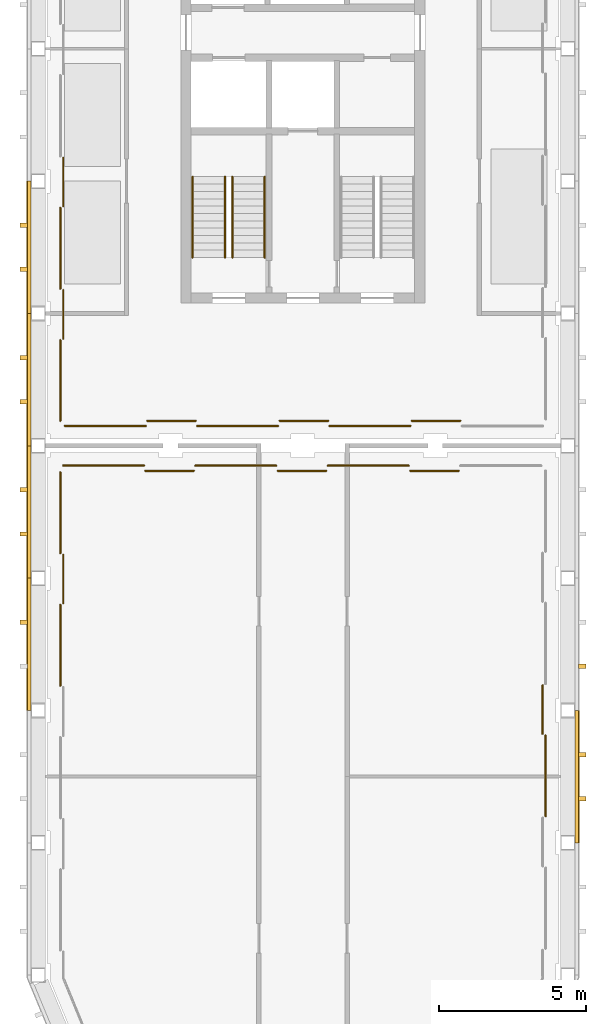
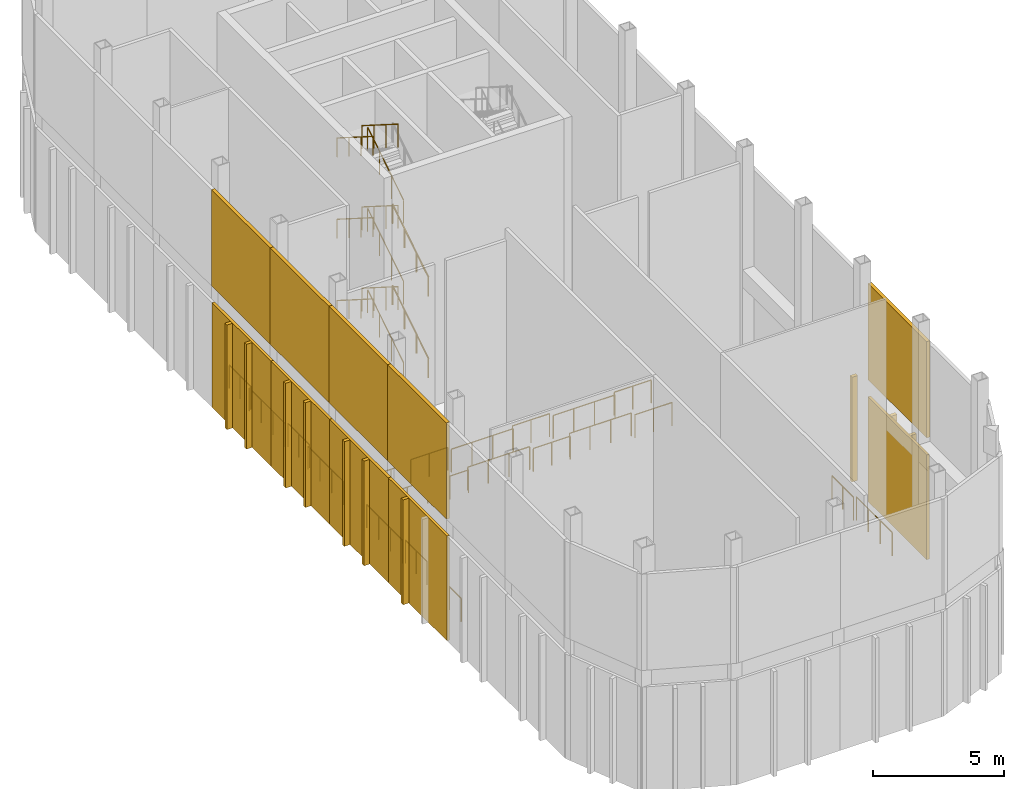
# One storey, part 5 of 8: 32 railings, 20 shading devices.
"""IFC4 building model written with IfcOpenShell, lengths in metres."""

from ifc_helpers import new_model, si_unit, direction, frame, origin, origin_2d, place, context, subcontext, project, spatial, rectangle, circle, extrude, material, type_object, element, save


model = new_model("IFC4")

# Units and contexts
model_context = context("Model", 3, precision=1e-05, world=origin(), true_north=direction((0.0, 1.0)))
body_context = subcontext(model_context, "Body", "Model", "MODEL_VIEW")
ifc_project = project(units=[si_unit("LENGTHUNIT", "METRE"), si_unit("AREAUNIT", "SQUARE_METRE"), si_unit("VOLUMEUNIT", "CUBIC_METRE"), si_unit("PLANEANGLEUNIT", "RADIAN"), si_unit("MASSUNIT", "GRAM", prefix="KILO")], contexts=[model_context])

# Site, building, storey
site_placement = place(None, origin())
site = spatial("IfcSite", under=ifc_project, at=site_placement, CompositionType="ELEMENT")
building_placement = place(site_placement, origin())
building = spatial("IfcBuilding", under=site, at=building_placement, Name="Girih Gate Residences", CompositionType="ELEMENT")
storey_placement = place(building_placement, frame((0.0, 0.0, 235.695068359375)))
storey = spatial("IfcBuildingStorey", under=building, at=storey_placement, Name="L66", CompositionType="ELEMENT", Elevation=235.695068359375)

# Railings
ifc_material_1 = material(Name="Stainless steel railing", Category="steel")
railing_type_1 = type_object("IfcRailingType", Name="Crown deck guard 1100", PredefinedType="GUARDRAIL", material=ifc_material_1)
railing_1_placement = place(storey_placement, frame((0.85009765625, 21.824951171875, 0.0)))
element("IfcRailing", 1, at=railing_1_placement, inside=storey, type_object=railing_type_1, Name="Crown deck guard L66 1.1.1", PredefinedType="GUARDRAIL", context=body_context, shape_type="SweptSolid", body=[
    extrude(circle(Radius=0.02490234375, at=origin_2d()), frame((0.0, 0.0, 1.0751953125), z_axis=(1.0, 0.0, 0.0), x_axis=(0.0, 1.0, 0.0)), (0.0, 0.0, 1.0), 2.739990234375),
    extrude(circle(Radius=0.02490234375, at=origin_2d()), origin(), (0.0, 0.0, 1.0), 1.050048828125),
    extrude(circle(Radius=0.02490234375, at=origin_2d()), frame((0.913330078125, 0.0, 0.0)), (0.0, 0.0, 1.0), 1.050048828125),
    extrude(circle(Radius=0.02490234375, at=origin_2d()), frame((1.82666015625, 0.0, 0.0)), (0.0, 0.0, 1.0), 1.050048828125),
    extrude(circle(Radius=0.02490234375, at=origin_2d()), frame((2.739990234375, 0.0, 0.0)), (0.0, 0.0, 1.0), 1.050048828125),
])
railing_2_placement = place(storey_placement, frame((3.64990234375, 21.64990234375, 0.0)))
element("IfcRailing", 2, at=railing_2_placement, inside=storey, type_object=railing_type_1, Name="Crown deck guard L66 1.1.2", PredefinedType="GUARDRAIL", context=body_context, shape_type="SweptSolid", body=[
    extrude(circle(Radius=0.02490234375, at=origin_2d()), frame((0.0, 0.0, 1.0751953125), z_axis=(1.0, 0.0, 0.0), x_axis=(0.0, 1.0, 0.0)), (0.0, 0.0, 1.0), 1.64013671875),
    extrude(circle(Radius=0.02490234375, at=origin_2d()), origin(), (0.0, 0.0, 1.0), 1.050048828125),
    extrude(circle(Radius=0.02490234375, at=origin_2d()), frame((0.820068359375, 0.0, 0.0)), (0.0, 0.0, 1.0), 1.050048828125),
    extrude(circle(Radius=0.02490234375, at=origin_2d()), frame((1.64013671875, 0.0, 0.0)), (0.0, 0.0, 1.0), 1.050048828125),
])
railing_3_placement = place(storey_placement, frame((5.35009765625, 21.824951171875, 0.0)))
element("IfcRailing", 3, at=railing_3_placement, inside=storey, type_object=railing_type_1, Name="Crown deck guard L66 1.1.3", PredefinedType="GUARDRAIL", context=body_context, shape_type="SweptSolid", body=[
    extrude(circle(Radius=0.02490234375, at=origin_2d()), frame((0.0, 0.0, 1.0751953125), z_axis=(1.0, 0.0, 0.0), x_axis=(0.0, 1.0, 0.0)), (0.0, 0.0, 1.0), 2.739990234375),
    extrude(circle(Radius=0.02490234375, at=origin_2d()), origin(), (0.0, 0.0, 1.0), 1.050048828125),
    extrude(circle(Radius=0.02490234375, at=origin_2d()), frame((0.913330078125, 0.0, 0.0)), (0.0, 0.0, 1.0), 1.050048828125),
    extrude(circle(Radius=0.02490234375, at=origin_2d()), frame((1.82666015625, 0.0, 0.0)), (0.0, 0.0, 1.0), 1.050048828125),
    extrude(circle(Radius=0.02490234375, at=origin_2d()), frame((2.739990234375, 0.0, 0.0)), (0.0, 0.0, 1.0), 1.050048828125),
])
railing_4_placement = place(storey_placement, frame((8.14990234375, 21.64990234375, 0.0)))
element("IfcRailing", 4, at=railing_4_placement, inside=storey, type_object=railing_type_1, Name="Crown deck guard L66 1.1.4", PredefinedType="GUARDRAIL", context=body_context, shape_type="SweptSolid", body=[
    extrude(circle(Radius=0.02490234375, at=origin_2d()), frame((0.0, 0.0, 1.0751953125), z_axis=(1.0, 0.0, 0.0), x_axis=(0.0, 1.0, 0.0)), (0.0, 0.0, 1.0), 1.64013671875),
    extrude(circle(Radius=0.02490234375, at=origin_2d()), origin(), (0.0, 0.0, 1.0), 1.050048828125),
    extrude(circle(Radius=0.02490234375, at=origin_2d()), frame((0.820068359375, 0.0, 0.0)), (0.0, 0.0, 1.0), 1.050048828125),
    extrude(circle(Radius=0.02490234375, at=origin_2d()), frame((1.64013671875, 0.0, 0.0)), (0.0, 0.0, 1.0), 1.050048828125),
])
railing_5_placement = place(storey_placement, frame((9.85009765625, 21.824951171875, 0.0)))
element("IfcRailing", 5, at=railing_5_placement, inside=storey, type_object=railing_type_1, Name="Crown deck guard L66 1.1.5", PredefinedType="GUARDRAIL", context=body_context, shape_type="SweptSolid", body=[
    extrude(circle(Radius=0.02490234375, at=origin_2d()), frame((0.0, 0.0, 1.0751953125), z_axis=(1.0, 0.0, 0.0), x_axis=(0.0, 1.0, 0.0)), (0.0, 0.0, 1.0), 2.739990234375),
    extrude(circle(Radius=0.02490234375, at=origin_2d()), origin(), (0.0, 0.0, 1.0), 1.050048828125),
    extrude(circle(Radius=0.02490234375, at=origin_2d()), frame((0.913330078125, 0.0, 0.0)), (0.0, 0.0, 1.0), 1.050048828125),
    extrude(circle(Radius=0.02490234375, at=origin_2d()), frame((1.82666015625, 0.0, 0.0)), (0.0, 0.0, 1.0), 1.050048828125),
    extrude(circle(Radius=0.02490234375, at=origin_2d()), frame((2.739990234375, 0.0, 0.0)), (0.0, 0.0, 1.0), 1.050048828125),
])
railing_6_placement = place(storey_placement, frame((12.64990234375, 21.64990234375, 0.0)))
element("IfcRailing", 6, at=railing_6_placement, inside=storey, type_object=railing_type_1, Name="Crown deck guard L66 1.1.6", PredefinedType="GUARDRAIL", context=body_context, shape_type="SweptSolid", body=[
    extrude(circle(Radius=0.02490234375, at=origin_2d()), frame((0.0, 0.0, 1.0751953125), z_axis=(1.0, 0.0, 0.0), x_axis=(0.0, 1.0, 0.0)), (0.0, 0.0, 1.0), 1.64013671875),
    extrude(circle(Radius=0.02490234375, at=origin_2d()), origin(), (0.0, 0.0, 1.0), 1.050048828125),
    extrude(circle(Radius=0.02490234375, at=origin_2d()), frame((0.820068359375, 0.0, 0.0)), (0.0, 0.0, 1.0), 1.050048828125),
    extrude(circle(Radius=0.02490234375, at=origin_2d()), frame((1.64013671875, 0.0, 0.0)), (0.0, 0.0, 1.0), 1.050048828125),
])
railing_7_placement = place(storey_placement, frame((17.14990234375, 14.35009765625, 0.0)))
element("IfcRailing", 7, at=railing_7_placement, inside=storey, type_object=railing_type_1, Name="Crown deck guard L66 1.1.11", PredefinedType="GUARDRAIL", context=body_context, shape_type="SweptSolid", body=[
    extrude(circle(Radius=0.02490234375, at=origin_2d()), frame((0.0, 0.0, 1.0751953125), z_axis=(0.0, -1.0, 0.0), x_axis=(1.0, 0.0, 0.0)), (0.0, 0.0, 1.0), 1.64013671875),
    extrude(circle(Radius=0.02490234375, at=origin_2d()), origin(), (0.0, 0.0, 1.0), 1.050048828125),
    extrude(circle(Radius=0.02490234375, at=origin_2d()), frame((0.0, -0.820068359375, 0.0)), (0.0, 0.0, 1.0), 1.050048828125),
    extrude(circle(Radius=0.02490234375, at=origin_2d()), frame((0.0, -1.64013671875, 0.0)), (0.0, 0.0, 1.0), 1.050048828125),
])
railing_8_placement = place(storey_placement, frame((17.25, 12.64990234375, 0.0)))
element("IfcRailing", 8, at=railing_8_placement, inside=storey, type_object=railing_type_1, Name="Crown deck guard L66 1.1.12", PredefinedType="GUARDRAIL", context=body_context, shape_type="SweptSolid", body=[
    extrude(circle(Radius=0.02490234375, at=origin_2d()), frame((0.0, 0.0, 1.0751953125), z_axis=(0.0, -1.0, 0.0), x_axis=(1.0, 0.0, 0.0)), (0.0, 0.0, 1.0), 2.739990234375),
    extrude(circle(Radius=0.02490234375, at=origin_2d()), origin(), (0.0, 0.0, 1.0), 1.050048828125),
    extrude(circle(Radius=0.02490234375, at=origin_2d()), frame((0.0, -0.913330078125, 0.0)), (0.0, 0.0, 1.0), 1.050048828125),
    extrude(circle(Radius=0.02490234375, at=origin_2d()), frame((0.0, -1.82666015625, 0.0)), (0.0, 0.0, 1.0), 1.050048828125),
    extrude(circle(Radius=0.02490234375, at=origin_2d()), frame((0.0, -2.739990234375, 0.0)), (0.0, 0.0, 1.0), 1.050048828125),
])
railing_9_placement = place(storey_placement, frame((0.75, 14.35009765625, 0.0)))
element("IfcRailing", 9, at=railing_9_placement, inside=storey, type_object=railing_type_1, Name="Crown deck guard L66 1.1.32", PredefinedType="GUARDRAIL", context=body_context, shape_type="SweptSolid", body=[
    extrude(circle(Radius=0.02490234375, at=origin_2d()), frame((0.0, 0.0, 1.0751953125), z_axis=(0.0, 1.0, 0.0), x_axis=(-1.0, 0.0, 0.0)), (0.0, 0.0, 1.0), 2.739990234375),
    extrude(circle(Radius=0.02490234375, at=origin_2d()), origin(), (0.0, 0.0, 1.0), 1.050048828125),
    extrude(circle(Radius=0.02490234375, at=origin_2d()), frame((0.0, 0.913330078125, 0.0)), (0.0, 0.0, 1.0), 1.050048828125),
    extrude(circle(Radius=0.02490234375, at=origin_2d()), frame((0.0, 1.82666015625, 0.0)), (0.0, 0.0, 1.0), 1.050048828125),
    extrude(circle(Radius=0.02490234375, at=origin_2d()), frame((0.0, 2.739990234375, 0.0)), (0.0, 0.0, 1.0), 1.050048828125),
])
railing_10_placement = place(storey_placement, frame((0.85009765625, 17.14990234375, 0.0)))
element("IfcRailing", 10, at=railing_10_placement, inside=storey, type_object=railing_type_1, Name="Crown deck guard L66 1.1.33", PredefinedType="GUARDRAIL", context=body_context, shape_type="SweptSolid", body=[
    extrude(circle(Radius=0.02490234375, at=origin_2d()), frame((0.0, 0.0, 1.0751953125), z_axis=(0.0, 1.0, 0.0), x_axis=(-1.0, 0.0, 0.0)), (0.0, 0.0, 1.0), 1.64013671875),
    extrude(circle(Radius=0.02490234375, at=origin_2d()), origin(), (0.0, 0.0, 1.0), 1.050048828125),
    extrude(circle(Radius=0.02490234375, at=origin_2d()), frame((0.0, 0.820068359375, 0.0)), (0.0, 0.0, 1.0), 1.050048828125),
    extrude(circle(Radius=0.02490234375, at=origin_2d()), frame((0.0, 1.64013671875, 0.0)), (0.0, 0.0, 1.0), 1.050048828125),
])
for number, where, name in (
    (11, (0.75, 18.85009765625, 0.0), "Crown deck guard L66 1.1.34"),
    (12, (0.75, 23.35009765625, 0.0), "Crown deck guard L66 2.1.1"),
):
    element("IfcRailing", number, at=place(storey_placement, frame(where)), inside=storey, type_object=railing_type_1, Name=name, PredefinedType="GUARDRAIL", context=body_context, shape_type="SweptSolid", body=[
        extrude(circle(Radius=0.02490234375, at=origin_2d()), frame((0.0, 0.0, 1.0751953125), z_axis=(0.0, 1.0, 0.0), x_axis=(-1.0, 0.0, 0.0)), (0.0, 0.0, 1.0), 2.739990234375),
        extrude(circle(Radius=0.02490234375, at=origin_2d()), origin(), (0.0, 0.0, 1.0), 1.050048828125),
        extrude(circle(Radius=0.02490234375, at=origin_2d()), frame((0.0, 0.913330078125, 0.0)), (0.0, 0.0, 1.0), 1.050048828125),
        extrude(circle(Radius=0.02490234375, at=origin_2d()), frame((0.0, 1.82666015625, 0.0)), (0.0, 0.0, 1.0), 1.050048828125),
        extrude(circle(Radius=0.02490234375, at=origin_2d()), frame((0.0, 2.739990234375, 0.0)), (0.0, 0.0, 1.0), 1.050048828125),
    ])
railing_11_placement = place(storey_placement, frame((0.85009765625, 26.14990234375, 0.0)))
element("IfcRailing", 13, at=railing_11_placement, inside=storey, type_object=railing_type_1, Name="Crown deck guard L66 2.1.2", PredefinedType="GUARDRAIL", context=body_context, shape_type="SweptSolid", body=[
    extrude(circle(Radius=0.02490234375, at=origin_2d()), frame((0.0, 0.0, 1.0751953125), z_axis=(0.0, 1.0, 0.0), x_axis=(-1.0, 0.0, 0.0)), (0.0, 0.0, 1.0), 1.64013671875),
    extrude(circle(Radius=0.02490234375, at=origin_2d()), origin(), (0.0, 0.0, 1.0), 1.050048828125),
    extrude(circle(Radius=0.02490234375, at=origin_2d()), frame((0.0, 0.820068359375, 0.0)), (0.0, 0.0, 1.0), 1.050048828125),
    extrude(circle(Radius=0.02490234375, at=origin_2d()), frame((0.0, 1.64013671875, 0.0)), (0.0, 0.0, 1.0), 1.050048828125),
])
railing_12_placement = place(storey_placement, frame((0.75, 27.85009765625, 0.0)))
element("IfcRailing", 14, at=railing_12_placement, inside=storey, type_object=railing_type_1, Name="Crown deck guard L66 2.1.3", PredefinedType="GUARDRAIL", context=body_context, shape_type="SweptSolid", body=[
    extrude(circle(Radius=0.02490234375, at=origin_2d()), frame((0.0, 0.0, 1.0751953125), z_axis=(0.0, 1.0, 0.0), x_axis=(-1.0, 0.0, 0.0)), (0.0, 0.0, 1.0), 2.739990234375),
    extrude(circle(Radius=0.02490234375, at=origin_2d()), origin(), (0.0, 0.0, 1.0), 1.050048828125),
    extrude(circle(Radius=0.02490234375, at=origin_2d()), frame((0.0, 0.913330078125, 0.0)), (0.0, 0.0, 1.0), 1.050048828125),
    extrude(circle(Radius=0.02490234375, at=origin_2d()), frame((0.0, 1.82666015625, 0.0)), (0.0, 0.0, 1.0), 1.050048828125),
    extrude(circle(Radius=0.02490234375, at=origin_2d()), frame((0.0, 2.739990234375, 0.0)), (0.0, 0.0, 1.0), 1.050048828125),
])
railing_13_placement = place(storey_placement, frame((0.85009765625, 30.64990234375, 0.0)))
element("IfcRailing", 15, at=railing_13_placement, inside=storey, type_object=railing_type_1, Name="Crown deck guard L66 2.1.4", PredefinedType="GUARDRAIL", context=body_context, shape_type="SweptSolid", body=[
    extrude(circle(Radius=0.02490234375, at=origin_2d()), frame((0.0, 0.0, 1.0751953125), z_axis=(0.0, 1.0, 0.0), x_axis=(-1.0, 0.0, 0.0)), (0.0, 0.0, 1.0), 1.64013671875),
    extrude(circle(Radius=0.02490234375, at=origin_2d()), origin(), (0.0, 0.0, 1.0), 1.050048828125),
    extrude(circle(Radius=0.02490234375, at=origin_2d()), frame((0.0, 0.820068359375, 0.0)), (0.0, 0.0, 1.0), 1.050048828125),
    extrude(circle(Radius=0.02490234375, at=origin_2d()), frame((0.0, 1.64013671875, 0.0)), (0.0, 0.0, 1.0), 1.050048828125),
])
railing_14_placement = place(storey_placement, frame((14.35009765625, 23.35009765625, 0.0)))
element("IfcRailing", 16, at=railing_14_placement, inside=storey, type_object=railing_type_1, Name="Crown deck guard L66 2.1.33", PredefinedType="GUARDRAIL", context=body_context, shape_type="SweptSolid", body=[
    extrude(circle(Radius=0.02490234375, at=origin_2d()), frame((0.0, 0.0, 1.0751953125), z_axis=(-1.0, 0.0, 0.0), x_axis=(0.0, -1.0, 0.0)), (0.0, 0.0, 1.0), 1.64013671875),
    extrude(circle(Radius=0.02490234375, at=origin_2d()), origin(), (0.0, 0.0, 1.0), 1.050048828125),
    extrude(circle(Radius=0.02490234375, at=origin_2d()), frame((-0.820068359375, 0.0, 0.0)), (0.0, 0.0, 1.0), 1.050048828125),
    extrude(circle(Radius=0.02490234375, at=origin_2d()), frame((-1.64013671875, 0.0, 0.0)), (0.0, 0.0, 1.0), 1.050048828125),
])
railing_15_placement = place(storey_placement, frame((12.64990234375, 23.175048828125, 0.0)))
element("IfcRailing", 17, at=railing_15_placement, inside=storey, type_object=railing_type_1, Name="Crown deck guard L66 2.1.34", PredefinedType="GUARDRAIL", context=body_context, shape_type="SweptSolid", body=[
    extrude(circle(Radius=0.02490234375, at=origin_2d()), frame((0.0, 0.0, 1.0751953125), z_axis=(-1.0, 0.0, 0.0), x_axis=(0.0, -1.0, 0.0)), (0.0, 0.0, 1.0), 2.739990234375),
    extrude(circle(Radius=0.02490234375, at=origin_2d()), origin(), (0.0, 0.0, 1.0), 1.050048828125),
    extrude(circle(Radius=0.02490234375, at=origin_2d()), frame((-0.913330078125, 0.0, 0.0)), (0.0, 0.0, 1.0), 1.050048828125),
    extrude(circle(Radius=0.02490234375, at=origin_2d()), frame((-1.82666015625, 0.0, 0.0)), (0.0, 0.0, 1.0), 1.050048828125),
    extrude(circle(Radius=0.02490234375, at=origin_2d()), frame((-2.739990234375, 0.0, 0.0)), (0.0, 0.0, 1.0), 1.050048828125),
])
railing_16_placement = place(storey_placement, frame((9.85009765625, 23.35009765625, 0.0)))
element("IfcRailing", 18, at=railing_16_placement, inside=storey, type_object=railing_type_1, Name="Crown deck guard L66 2.1.35", PredefinedType="GUARDRAIL", context=body_context, shape_type="SweptSolid", body=[
    extrude(circle(Radius=0.02490234375, at=origin_2d()), frame((0.0, 0.0, 1.0751953125), z_axis=(-1.0, 0.0, 0.0), x_axis=(0.0, -1.0, 0.0)), (0.0, 0.0, 1.0), 1.64013671875),
    extrude(circle(Radius=0.02490234375, at=origin_2d()), origin(), (0.0, 0.0, 1.0), 1.050048828125),
    extrude(circle(Radius=0.02490234375, at=origin_2d()), frame((-0.820068359375, 0.0, 0.0)), (0.0, 0.0, 1.0), 1.050048828125),
    extrude(circle(Radius=0.02490234375, at=origin_2d()), frame((-1.64013671875, 0.0, 0.0)), (0.0, 0.0, 1.0), 1.050048828125),
])
railing_17_placement = place(storey_placement, frame((8.14990234375, 23.175048828125, 0.0)))
element("IfcRailing", 19, at=railing_17_placement, inside=storey, type_object=railing_type_1, Name="Crown deck guard L66 2.1.36", PredefinedType="GUARDRAIL", context=body_context, shape_type="SweptSolid", body=[
    extrude(circle(Radius=0.02490234375, at=origin_2d()), frame((0.0, 0.0, 1.0751953125), z_axis=(-1.0, 0.0, 0.0), x_axis=(0.0, -1.0, 0.0)), (0.0, 0.0, 1.0), 2.739990234375),
    extrude(circle(Radius=0.02490234375, at=origin_2d()), origin(), (0.0, 0.0, 1.0), 1.050048828125),
    extrude(circle(Radius=0.02490234375, at=origin_2d()), frame((-0.913330078125, 0.0, 0.0)), (0.0, 0.0, 1.0), 1.050048828125),
    extrude(circle(Radius=0.02490234375, at=origin_2d()), frame((-1.82666015625, 0.0, 0.0)), (0.0, 0.0, 1.0), 1.050048828125),
    extrude(circle(Radius=0.02490234375, at=origin_2d()), frame((-2.739990234375, 0.0, 0.0)), (0.0, 0.0, 1.0), 1.050048828125),
])
railing_18_placement = place(storey_placement, frame((5.35009765625, 23.35009765625, 0.0)))
element("IfcRailing", 20, at=railing_18_placement, inside=storey, type_object=railing_type_1, Name="Crown deck guard L66 2.1.37", PredefinedType="GUARDRAIL", context=body_context, shape_type="SweptSolid", body=[
    extrude(circle(Radius=0.02490234375, at=origin_2d()), frame((0.0, 0.0, 1.0751953125), z_axis=(-1.0, 0.0, 0.0), x_axis=(0.0, -1.0, 0.0)), (0.0, 0.0, 1.0), 1.64013671875),
    extrude(circle(Radius=0.02490234375, at=origin_2d()), origin(), (0.0, 0.0, 1.0), 1.050048828125),
    extrude(circle(Radius=0.02490234375, at=origin_2d()), frame((-0.820068359375, 0.0, 0.0)), (0.0, 0.0, 1.0), 1.050048828125),
    extrude(circle(Radius=0.02490234375, at=origin_2d()), frame((-1.64013671875, 0.0, 0.0)), (0.0, 0.0, 1.0), 1.050048828125),
])
railing_19_placement = place(storey_placement, frame((3.64990234375, 23.175048828125, 0.0)))
element("IfcRailing", 21, at=railing_19_placement, inside=storey, type_object=railing_type_1, Name="Crown deck guard L66 2.1.38", PredefinedType="GUARDRAIL", context=body_context, shape_type="SweptSolid", body=[
    extrude(circle(Radius=0.02490234375, at=origin_2d()), frame((0.0, 0.0, 1.0751953125), z_axis=(-1.0, 0.0, 0.0), x_axis=(0.0, -1.0, 0.0)), (0.0, 0.0, 1.0), 2.739990234375),
    extrude(circle(Radius=0.02490234375, at=origin_2d()), origin(), (0.0, 0.0, 1.0), 1.050048828125),
    extrude(circle(Radius=0.02490234375, at=origin_2d()), frame((-0.913330078125, 0.0, 0.0)), (0.0, 0.0, 1.0), 1.050048828125),
    extrude(circle(Radius=0.02490234375, at=origin_2d()), frame((-1.82666015625, 0.0, 0.0)), (0.0, 0.0, 1.0), 1.050048828125),
    extrude(circle(Radius=0.02490234375, at=origin_2d()), frame((-2.739990234375, 0.0, 0.0)), (0.0, 0.0, 1.0), 1.050048828125),
])

# Shading devices
ifc_material_2 = material(Name="Precast concrete C50/60", Category="concrete")
shading_device_type_1 = type_object("IfcShadingDeviceType", Name="Crown fluted rib 150x250", PredefinedType="USERDEFINED", material=ifc_material_2)
for number, where, z_axis, x_axis, name in (
    (22, (-0.4951171875, 30.0, 0.0), (0.0, 0.0, 1.0), (0.0, -1.0, 0.0), "Crown rib 1.W0000_0450.3.1"),
    (23, (-0.4951171875, 28.5, 0.0), (0.0, 0.0, 1.0), (0.0, -1.0, 0.0), "Crown rib 1.W0000_0450.3.2"),
    (24, (-0.4951171875, 25.5, 0.0), (0.0, 0.0, 1.0), (0.0, -1.0, 0.0), "Crown rib 1.W0000_0450.4.1"),
    (25, (-0.4951171875, 24.0, 0.0), (0.0, 0.0, 1.0), (0.0, -1.0, 0.0), "Crown rib 1.W0000_0450.4.2"),
    (26, (-0.4951171875, 21.0, 0.0), (0.0, 0.0, 1.0), (0.0, -1.0, 0.0), "Crown rib 1.W0000_0450.5.1"),
    (27, (-0.4951171875, 19.5, 0.0), (0.0, 0.0, 1.0), (0.0, -1.0, 0.0), "Crown rib 1.W0000_0450.5.2"),
    (28, (-0.4951171875, 16.5, 0.0), (0.0, 0.0, 1.0), (0.0, -1.0, 0.0), "Crown rib 1.W0000_0450.6.1"),
    (29, (18.4951171875, 10.5, 0.0), (0.0, 0.0, 1.0), (0.0, 1.0, 0.0), "Crown rib 1.E0180_0045.1.1"),
    (30, (18.4951171875, 12.0, 0.0), (0.0, 0.0, 1.0), (0.0, 1.0, 0.0), "Crown rib 1.E0180_0045.1.2"),
    (31, (18.4951171875, 15.0, 0.0), (0.0, 0.0, 1.0), (0.0, 1.0, 0.0), "Crown rib 1.E0180_0045.2.1"),
):
    element("IfcShadingDevice", number, at=place(storey_placement, frame(where, z_axis=z_axis, x_axis=x_axis)), inside=storey, type_object=shading_device_type_1, Name=name, ObjectType="FIN", PredefinedType="USERDEFINED", context=body_context, shape_type="SweptSolid", body=[
        extrude(rectangle(XDim=0.14990234375, YDim=0.25, at=origin_2d()), origin(), (0.0, 0.0, 1.0), 4.89990234375),
    ])
ifc_material_3 = material(Name="Aluminium louvre", Category="aluminium")
shading_device_type_2 = type_object("IfcShadingDeviceType", Name="Crown louvre band 150", PredefinedType="USERDEFINED", material=ifc_material_3)
for number, where, z_axis, x_axis, name in (
    (32, (-0.324951171875, 29.25, 5.699951171875), (0.0, 0.0, 1.0), (0.0, -1.0, 0.0), "Crown louvre 2.W0000_0450.3"),
    (33, (-0.324951171875, 24.75, 5.699951171875), (0.0, 0.0, 1.0), (0.0, -1.0, 0.0), "Crown louvre 2.W0000_0450.4"),
    (34, (-0.324951171875, 20.25, 5.699951171875), (0.0, 0.0, 1.0), (0.0, -1.0, 0.0), "Crown louvre 2.W0000_0450.5"),
    (35, (-0.324951171875, 15.75, 5.699951171875), (0.0, 0.0, 1.0), (0.0, -1.0, 0.0), "Crown louvre 2.W0000_0450.6"),
    (36, (18.324951171875, 11.25, 5.699951171875), (0.0, 0.0, 1.0), (0.0, 1.0, 0.0), "Crown louvre 2.E0180_0045.1"),
):
    element("IfcShadingDevice", number, at=place(storey_placement, frame(where, z_axis=z_axis, x_axis=x_axis)), inside=storey, type_object=shading_device_type_2, Name=name, ObjectType="LOUVRE", PredefinedType="USERDEFINED", context=body_context, shape_type="SweptSolid", body=[
        extrude(rectangle(XDim=4.5, YDim=0.14990234375, at=origin_2d()), origin(), (0.0, 0.0, 1.0), 4.5),
    ])
ifc_material_4 = material(Name="Turquoise glazed tile panjara screen")
shading_device_type_3 = type_object("IfcShadingDeviceType", Name="Crown tile screen 120", PredefinedType="USERDEFINED", material=ifc_material_4)
for number, where, z_axis, x_axis, name in (
    (37, (-0.31005859375, 29.25, 0.0), (0.0, 0.0, 1.0), (0.0, -1.0, 0.0), "Crown screen 1.W0000_0450.3"),
    (38, (-0.31005859375, 24.75, 0.0), (0.0, 0.0, 1.0), (0.0, -1.0, 0.0), "Crown screen 1.W0000_0450.4"),
    (39, (-0.31005859375, 20.25, 0.0), (0.0, 0.0, 1.0), (0.0, -1.0, 0.0), "Crown screen 1.W0000_0450.5"),
    (40, (-0.31005859375, 15.75, 0.0), (0.0, 0.0, 1.0), (0.0, -1.0, 0.0), "Crown screen 1.W0000_0450.6"),
    (41, (18.31005859375, 11.25, 0.0), (0.0, 0.0, 1.0), (0.0, 1.0, 0.0), "Crown screen 1.E0180_0045.1"),
):
    element("IfcShadingDevice", number, at=place(storey_placement, frame(where, z_axis=z_axis, x_axis=x_axis)), inside=storey, type_object=shading_device_type_3, Name=name, ObjectType="SCREEN", PredefinedType="USERDEFINED", context=body_context, shape_type="SweptSolid", body=[
        extrude(rectangle(XDim=4.5, YDim=0.1201171875, at=origin_2d()), origin(), (0.0, 0.0, 1.0), 4.89990234375),
    ])

# Railings
ifc_material_5 = material(Name="Stainless steel", Category="steel")
railing_type_2 = type_object("IfcRailingType", Name="Stair guard 1100", PredefinedType="GUARDRAIL", material=ifc_material_5)
railing_20_placement = place(storey_placement, frame((6.60009765625, 28.89990234375, 0.158203125)))
element("IfcRailing", 42, at=railing_20_placement, inside=storey, type_object=railing_type_2, Name="L66 ST-W1 stair guard 1", PredefinedType="GUARDRAIL", context=body_context, shape_type="SweptSolid", body=[
    extrude(circle(Radius=0.02392578125, at=origin_2d()), frame((0.0, 0.0, 1.076171875), z_axis=(0.0, 0.844814555224, 0.535059218481), x_axis=(-1.0, 0.0, 0.0)), (0.0, 0.0, 1.0), 3.255126953125),
    extrude(circle(Radius=0.02099609375, at=origin_2d()), origin(), (0.0, 0.0, 1.0), 1.052001953125),
    extrude(circle(Radius=0.02099609375, at=origin_2d()), frame((0.0, 0.916748046875, 0.58056640625)), (0.0, 0.0, 1.0), 1.052001953125),
    extrude(circle(Radius=0.02099609375, at=origin_2d()), frame((0.0, 1.833251953125, 1.1611328125)), (0.0, 0.0, 1.0), 1.052001953125),
    extrude(circle(Radius=0.02099609375, at=origin_2d()), frame((0.0, 2.75, 1.74169921875)), (0.0, 0.0, 1.0), 1.052001953125),
])
railing_21_placement = place(storey_placement, frame((6.35009765625, 31.64990234375, 2.058349609375)))
element("IfcRailing", 43, at=railing_21_placement, inside=storey, type_object=railing_type_2, Name="L66 ST-W1 stair guard 2", PredefinedType="GUARDRAIL", context=body_context, shape_type="SweptSolid", body=[
    extrude(circle(Radius=0.02392578125, at=origin_2d()), frame((0.0, 0.0, 1.076171875), z_axis=(0.0, -0.844814555224, 0.535059218481), x_axis=(1.0, 0.0, 0.0)), (0.0, 0.0, 1.0), 3.255126953125),
    extrude(circle(Radius=0.02099609375, at=origin_2d()), origin(), (0.0, 0.0, 1.0), 1.052001953125),
    extrude(circle(Radius=0.02099609375, at=origin_2d()), frame((0.0, -0.916748046875, 0.58056640625)), (0.0, 0.0, 1.0), 1.052001953125),
    extrude(circle(Radius=0.02099609375, at=origin_2d()), frame((0.0, -1.833251953125, 1.1611328125)), (0.0, 0.0, 1.0), 1.052001953125),
    extrude(circle(Radius=0.02099609375, at=origin_2d()), frame((0.0, -2.75, 1.74169921875)), (0.0, 0.0, 1.0), 1.052001953125),
])
railing_22_placement = place(storey_placement, frame((6.60009765625, 28.89990234375, 3.958251953125)))
element("IfcRailing", 44, at=railing_22_placement, inside=storey, type_object=railing_type_2, Name="L66 ST-W1 stair guard 3", PredefinedType="GUARDRAIL", context=body_context, shape_type="SweptSolid", body=[
    extrude(circle(Radius=0.02392578125, at=origin_2d()), frame((0.0, 0.0, 1.076171875), z_axis=(0.0, 0.844814555224, 0.535059218481), x_axis=(-1.0, 0.0, 0.0)), (0.0, 0.0, 1.0), 3.255126953125),
    extrude(circle(Radius=0.02099609375, at=origin_2d()), origin(), (0.0, 0.0, 1.0), 1.052001953125),
    extrude(circle(Radius=0.02099609375, at=origin_2d()), frame((0.0, 0.916748046875, 0.58056640625)), (0.0, 0.0, 1.0), 1.052001953125),
    extrude(circle(Radius=0.02099609375, at=origin_2d()), frame((0.0, 1.833251953125, 1.1611328125)), (0.0, 0.0, 1.0), 1.052001953125),
    extrude(circle(Radius=0.02099609375, at=origin_2d()), frame((0.0, 2.75, 1.74169921875)), (0.0, 0.0, 1.0), 1.052001953125),
])
railing_23_placement = place(storey_placement, frame((6.35009765625, 31.64990234375, 5.858154296875)))
element("IfcRailing", 45, at=railing_23_placement, inside=storey, type_object=railing_type_2, Name="L66 ST-W1 stair guard 4", PredefinedType="GUARDRAIL", context=body_context, shape_type="SweptSolid", body=[
    extrude(circle(Radius=0.02392578125, at=origin_2d()), frame((0.0, 0.0, 1.076171875), z_axis=(0.0, -0.844814555224, 0.535059218481), x_axis=(1.0, 0.0, 0.0)), (0.0, 0.0, 1.0), 3.255126953125),
    extrude(circle(Radius=0.02099609375, at=origin_2d()), origin(), (0.0, 0.0, 1.0), 1.052001953125),
    extrude(circle(Radius=0.02099609375, at=origin_2d()), frame((0.0, -0.916748046875, 0.58056640625)), (0.0, 0.0, 1.0), 1.052001953125),
    extrude(circle(Radius=0.02099609375, at=origin_2d()), frame((0.0, -1.833251953125, 1.1611328125)), (0.0, 0.0, 1.0), 1.052001953125),
    extrude(circle(Radius=0.02099609375, at=origin_2d()), frame((0.0, -2.75, 1.74169921875)), (0.0, 0.0, 1.0), 1.052001953125),
])
railing_24_placement = place(storey_placement, frame((6.60009765625, 28.89990234375, 7.75830078125)))
element("IfcRailing", 46, at=railing_24_placement, inside=storey, type_object=railing_type_2, Name="L66 ST-W1 stair guard 5", PredefinedType="GUARDRAIL", context=body_context, shape_type="SweptSolid", body=[
    extrude(circle(Radius=0.02392578125, at=origin_2d()), frame((0.0, 0.0, 1.076171875), z_axis=(0.0, 0.844814555224, 0.535059218481), x_axis=(-1.0, 0.0, 0.0)), (0.0, 0.0, 1.0), 3.255126953125),
    extrude(circle(Radius=0.02099609375, at=origin_2d()), origin(), (0.0, 0.0, 1.0), 1.052001953125),
    extrude(circle(Radius=0.02099609375, at=origin_2d()), frame((0.0, 0.916748046875, 0.58056640625)), (0.0, 0.0, 1.0), 1.052001953125),
    extrude(circle(Radius=0.02099609375, at=origin_2d()), frame((0.0, 1.833251953125, 1.1611328125)), (0.0, 0.0, 1.0), 1.052001953125),
    extrude(circle(Radius=0.02099609375, at=origin_2d()), frame((0.0, 2.75, 1.74169921875)), (0.0, 0.0, 1.0), 1.052001953125),
])
railing_25_placement = place(storey_placement, frame((6.35009765625, 31.64990234375, 9.658203125)))
element("IfcRailing", 47, at=railing_25_placement, inside=storey, type_object=railing_type_2, Name="L66 ST-W1 stair guard 6", PredefinedType="GUARDRAIL", context=body_context, shape_type="SweptSolid", body=[
    extrude(circle(Radius=0.02392578125, at=origin_2d()), frame((0.0, 0.0, 1.076171875), z_axis=(0.0, -0.844814555224, 0.535059218481), x_axis=(1.0, 0.0, 0.0)), (0.0, 0.0, 1.0), 3.255126953125),
    extrude(circle(Radius=0.02099609375, at=origin_2d()), origin(), (0.0, 0.0, 1.0), 1.052001953125),
    extrude(circle(Radius=0.02099609375, at=origin_2d()), frame((0.0, -0.916748046875, 0.58056640625)), (0.0, 0.0, 1.0), 1.052001953125),
    extrude(circle(Radius=0.02099609375, at=origin_2d()), frame((0.0, -1.833251953125, 1.1611328125)), (0.0, 0.0, 1.0), 1.052001953125),
    extrude(circle(Radius=0.02099609375, at=origin_2d()), frame((0.0, -2.75, 1.74169921875)), (0.0, 0.0, 1.0), 1.052001953125),
])
railing_type_3 = type_object("IfcRailingType", Name="Stair handrail 900", PredefinedType="HANDRAIL", material=ifc_material_5)
railing_26_placement = place(storey_placement, frame((7.699951171875, 28.89990234375, 0.158203125)))
element("IfcRailing", 48, at=railing_26_placement, inside=storey, type_object=railing_type_3, Name="L66 ST-W1 stair handrail 1", PredefinedType="HANDRAIL", context=body_context, shape_type="SweptSolid", body=[
    extrude(circle(Radius=0.02392578125, at=origin_2d()), frame((0.0, 0.0, 0.8857421875), z_axis=(0.0, 0.844814555224, 0.535059218481), x_axis=(-1.0, 0.0, 0.0)), (0.0, 0.0, 1.0), 3.255126953125),
    extrude(circle(Radius=0.02099609375, at=origin_2d()), origin(), (0.0, 0.0, 1.0), 0.86181640625),
    extrude(circle(Radius=0.02099609375, at=origin_2d()), frame((0.0, 0.916748046875, 0.58056640625)), (0.0, 0.0, 1.0), 0.86181640625),
    extrude(circle(Radius=0.02099609375, at=origin_2d()), frame((0.0, 1.833251953125, 1.1611328125)), (0.0, 0.0, 1.0), 0.86181640625),
    extrude(circle(Radius=0.02099609375, at=origin_2d()), frame((0.0, 2.75, 1.74169921875)), (0.0, 0.0, 1.0), 0.86181640625),
])
railing_27_placement = place(storey_placement, frame((5.25, 31.64990234375, 2.058349609375)))
element("IfcRailing", 49, at=railing_27_placement, inside=storey, type_object=railing_type_3, Name="L66 ST-W1 stair handrail 2", PredefinedType="HANDRAIL", context=body_context, shape_type="SweptSolid", body=[
    extrude(circle(Radius=0.02392578125, at=origin_2d()), frame((0.0, 0.0, 0.8857421875), z_axis=(0.0, -0.844814555224, 0.535059218481), x_axis=(1.0, 0.0, 0.0)), (0.0, 0.0, 1.0), 3.255126953125),
    extrude(circle(Radius=0.02099609375, at=origin_2d()), origin(), (0.0, 0.0, 1.0), 0.86181640625),
    extrude(circle(Radius=0.02099609375, at=origin_2d()), frame((0.0, -0.916748046875, 0.58056640625)), (0.0, 0.0, 1.0), 0.86181640625),
    extrude(circle(Radius=0.02099609375, at=origin_2d()), frame((0.0, -1.833251953125, 1.1611328125)), (0.0, 0.0, 1.0), 0.86181640625),
    extrude(circle(Radius=0.02099609375, at=origin_2d()), frame((0.0, -2.75, 1.74169921875)), (0.0, 0.0, 1.0), 0.86181640625),
])
railing_28_placement = place(storey_placement, frame((7.699951171875, 28.89990234375, 3.958251953125)))
element("IfcRailing", 50, at=railing_28_placement, inside=storey, type_object=railing_type_3, Name="L66 ST-W1 stair handrail 3", PredefinedType="HANDRAIL", context=body_context, shape_type="SweptSolid", body=[
    extrude(circle(Radius=0.02392578125, at=origin_2d()), frame((0.0, 0.0, 0.8857421875), z_axis=(0.0, 0.844814555224, 0.535059218481), x_axis=(-1.0, 0.0, 0.0)), (0.0, 0.0, 1.0), 3.255126953125),
    extrude(circle(Radius=0.02099609375, at=origin_2d()), origin(), (0.0, 0.0, 1.0), 0.86181640625),
    extrude(circle(Radius=0.02099609375, at=origin_2d()), frame((0.0, 0.916748046875, 0.58056640625)), (0.0, 0.0, 1.0), 0.86181640625),
    extrude(circle(Radius=0.02099609375, at=origin_2d()), frame((0.0, 1.833251953125, 1.1611328125)), (0.0, 0.0, 1.0), 0.86181640625),
    extrude(circle(Radius=0.02099609375, at=origin_2d()), frame((0.0, 2.75, 1.74169921875)), (0.0, 0.0, 1.0), 0.86181640625),
])
for number, where, name in (
    (51, (5.25, 31.64990234375, 5.858154296875), "L66 ST-W1 stair handrail 4"),
    (52, (5.25, 31.64990234375, 9.658203125), "L66 ST-W1 stair handrail 6"),
):
    element("IfcRailing", number, at=place(storey_placement, frame(where)), inside=storey, type_object=railing_type_3, Name=name, PredefinedType="HANDRAIL", context=body_context, shape_type="SweptSolid", body=[
        extrude(circle(Radius=0.02392578125, at=origin_2d()), frame((0.0, 0.0, 0.8857421875), z_axis=(0.0, -0.844814555224, 0.535059218481), x_axis=(1.0, 0.0, 0.0)), (0.0, 0.0, 1.0), 3.255126953125),
        extrude(circle(Radius=0.02099609375, at=origin_2d()), origin(), (0.0, 0.0, 1.0), 0.86181640625),
        extrude(circle(Radius=0.02099609375, at=origin_2d()), frame((0.0, -0.916748046875, 0.58056640625)), (0.0, 0.0, 1.0), 0.86181640625),
        extrude(circle(Radius=0.02099609375, at=origin_2d()), frame((0.0, -1.833251953125, 1.1611328125)), (0.0, 0.0, 1.0), 0.86181640625),
        extrude(circle(Radius=0.02099609375, at=origin_2d()), frame((0.0, -2.75, 1.74169921875)), (0.0, 0.0, 1.0), 0.86181640625),
    ])

save(model, "model.ifc")
